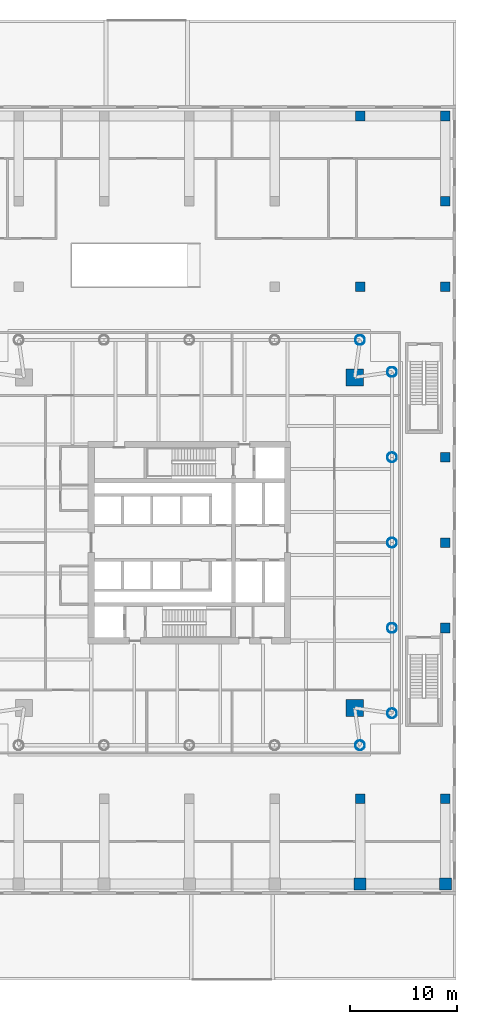
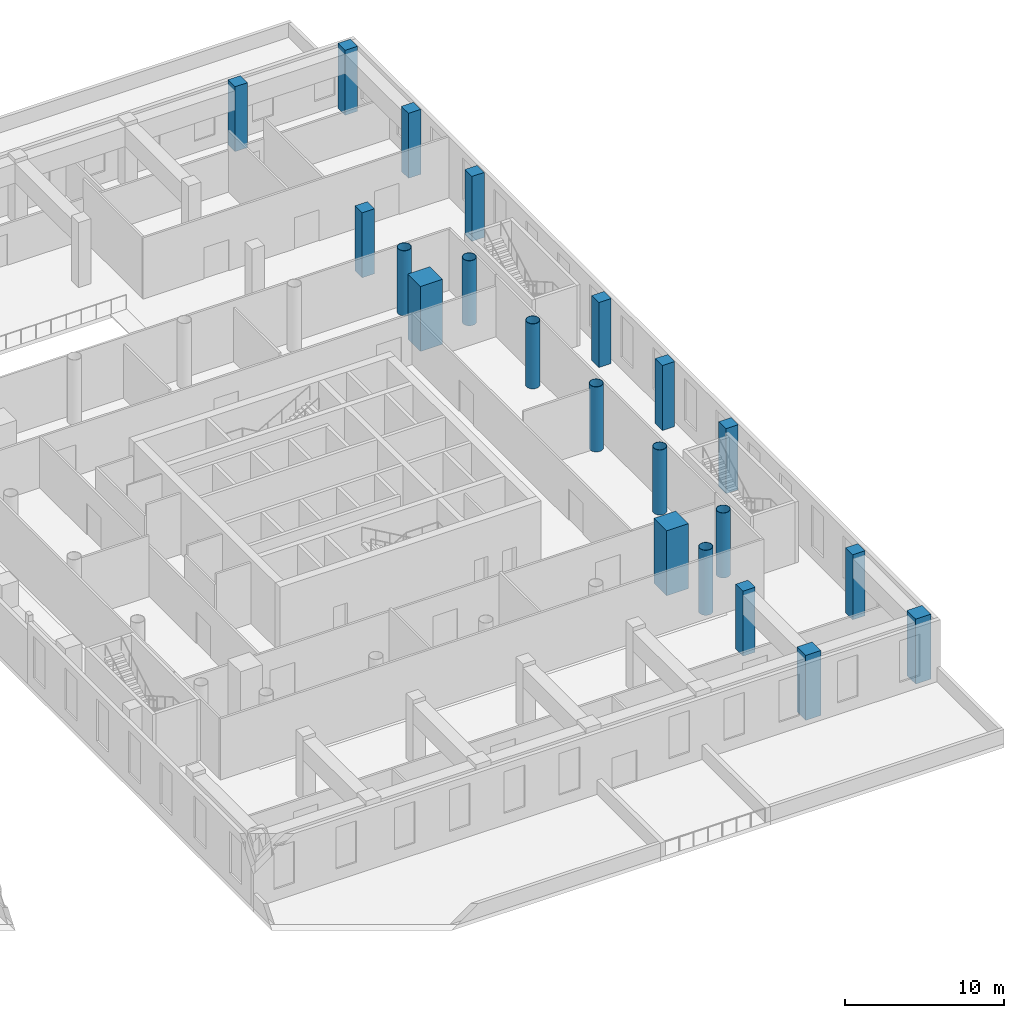
# One storey, part 4 of 26: 21 columns.
"""IFC4 building model written with IfcOpenShell, lengths in metres."""

from ifc_helpers import new_model, si_unit, direction, frame, origin, origin_2d, place, context, subcontext, project, spatial, rectangle, hollow_circle, extrude, material, material_profile, profile_set, type_object, element, save


model = new_model("IFC4")

# Units and contexts
model_context = context("Model", 3, precision=1e-05, world=origin(), true_north=direction((0.0, 1.0)))
body_context = subcontext(model_context, "Body", "Model", "MODEL_VIEW")
ifc_project = project(units=[si_unit("LENGTHUNIT", "METRE"), si_unit("AREAUNIT", "SQUARE_METRE"), si_unit("VOLUMEUNIT", "CUBIC_METRE"), si_unit("PLANEANGLEUNIT", "RADIAN"), si_unit("MASSUNIT", "GRAM", prefix="KILO")], contexts=[model_context])

# Site, building, storey
site_placement = place(None, origin())
site = spatial("IfcSite", under=ifc_project, at=site_placement, CompositionType="ELEMENT")
building_placement = place(site_placement, origin())
building = spatial("IfcBuilding", under=site, at=building_placement, Name="Ostroluk Exchange", CompositionType="ELEMENT")
storey_placement = place(building_placement, frame((0.0, 0.0, 6.0)))
storey = spatial("IfcBuildingStorey", under=building, at=storey_placement, Name="L01", CompositionType="ELEMENT", Elevation=6.0)

# Columns
ifc_material_1 = material(Name="Concrete C50/60", Category="concrete")
ifc_material_profile_1 = material_profile(ifc_material_1, rectangle(XDim=1.60009765625, YDim=1.60009765625, at=origin_2d()), Name="RC 1600x1600")
ifc_profile_set_1 = profile_set([ifc_material_profile_1], Name="Concrete C50/60")
column_type_1 = type_object("IfcColumnType", Name="Mega column RC 1600x1600", PredefinedType="COLUMN", material=ifc_profile_set_1)
for number, where, z_axis, x_axis, name in (
    (1, (132.5, 61.5, 0.0), (0.0, 0.0, 1.0), (1.0, 0.0, 0.0), "T2 mega column NE"),
    (2, (132.5, 30.5, 0.0), (0.0, 0.0, 1.0), (1.0, 0.0, 0.0), "T2 mega column SE"),
):
    element("IfcColumn", number, at=place(storey_placement, frame(where, z_axis=z_axis, x_axis=x_axis)), inside=storey, type_object=column_type_1, Name=name, PredefinedType="COLUMN", context=body_context, shape_type="SweptSolid", body=[
        extrude(rectangle(XDim=1.60009765625, YDim=1.60009765625, at=origin_2d()), origin(), (0.0, 0.0, 1.0), 5.0),
    ])
ifc_material_2 = material(Name="Steel S460", Category="steel")
ifc_material_profile_2 = material_profile(ifc_material_2, hollow_circle(Radius=0.45703125, WallThickness=0.030029296875, at=origin_2d()), Name="CHS 914x30")
ifc_profile_set_2 = profile_set([ifc_material_profile_2], Name="Steel S460")
column_type_2 = type_object("IfcColumnType", Name="Perimeter column CHS 914x30", PredefinedType="COLUMN", material=ifc_profile_set_2)
for number, where, z_axis, x_axis, name in (
    (3, (136.0, 30.0, 0.0), (0.0, 0.0, 1.0), (1.0, 0.0, 0.0), "T2 east face column E0"),
    (4, (136.0, 62.0, 0.0), (0.0, 0.0, 1.0), (1.0, 0.0, 0.0), "T2 east face column E1"),
    (5, (136.0, 38.0, 0.0), (0.0, 0.0, 1.0), (1.0, 0.0, 0.0), "T2 east face column I1"),
    (6, (136.0, 46.0, 0.0), (0.0, 0.0, 1.0), (1.0, 0.0, 0.0), "T2 east face column I2"),
    (7, (136.0, 54.0, 0.0), (0.0, 0.0, 1.0), (1.0, 0.0, 0.0), "T2 east face column I3"),
    (8, (133.0, 65.0, 0.0), (0.0, 0.0, 1.0), (1.0, 0.0, 0.0), "T2 north face column E0"),
    (9, (133.0, 27.0, 0.0), (0.0, 0.0, 1.0), (1.0, 0.0, 0.0), "T2 south face column E1"),
):
    element("IfcColumn", number, at=place(storey_placement, frame(where, z_axis=z_axis, x_axis=x_axis)), inside=storey, type_object=column_type_2, Name=name, PredefinedType="COLUMN", context=body_context, shape_type="SweptSolid", body=[
        extrude(hollow_circle(Radius=0.45703125, WallThickness=0.030029296875, at=origin_2d()), origin(), (0.0, 0.0, 1.0), 5.0),
    ])
ifc_material_3 = material(Name="Concrete C50/60", Category="concrete")
ifc_material_profile_3 = material_profile(ifc_material_3, rectangle(XDim=1.10009765625, YDim=1.10009765625, at=origin_2d()), Name="RC 1100x1100")
ifc_profile_set_3 = profile_set([ifc_material_profile_3], Name="Concrete C50/60")
column_type_3 = type_object("IfcColumnType", Name="Podium column RC 1100x1100", PredefinedType="COLUMN", material=ifc_profile_set_3)
for number, where, z_axis, x_axis, name in (
    (10, (133.0, 14.0, 0.0), (0.0, 0.0, 1.0), (1.0, 0.0, 0.0), "Podium column 133/14"),
    (11, (141.0, 14.0, 0.0), (0.0, 0.0, 1.0), (1.0, 0.0, 0.0), "Podium column 141/14"),
):
    element("IfcColumn", number, at=place(storey_placement, frame(where, z_axis=z_axis, x_axis=x_axis)), inside=storey, type_object=column_type_3, Name=name, PredefinedType="COLUMN", context=body_context, shape_type="SweptSolid", body=[
        extrude(rectangle(XDim=1.10009765625, YDim=1.10009765625, at=origin_2d()), origin(), (0.0, 0.0, 1.0), 5.0),
    ])
ifc_material_4 = material(Name="Concrete C50/60", Category="concrete")
ifc_material_profile_4 = material_profile(ifc_material_4, rectangle(XDim=0.89990234375, YDim=0.89990234375, at=origin_2d()), Name="RC 900x900")
ifc_profile_set_4 = profile_set([ifc_material_profile_4], Name="Concrete C50/60")
column_type_4 = type_object("IfcColumnType", Name="Podium column RC 900x900", PredefinedType="COLUMN", material=ifc_profile_set_4)
for number, where, z_axis, x_axis, name in (
    (12, (133.0, 22.0, 0.0), (0.0, 0.0, 1.0), (1.0, 0.0, 0.0), "Podium column 133/22"),
    (13, (133.0, 70.0, 0.0), (0.0, 0.0, 1.0), (1.0, 0.0, 0.0), "Podium column 133/70"),
    (14, (133.0, 86.0, 0.0), (0.0, 0.0, 1.0), (1.0, 0.0, 0.0), "Podium column 133/86"),
    (15, (141.0, 22.0, 0.0), (0.0, 0.0, 1.0), (1.0, 0.0, 0.0), "Podium column 141/22"),
    (16, (141.0, 38.0, 0.0), (0.0, 0.0, 1.0), (1.0, 0.0, 0.0), "Podium column 141/38"),
    (17, (141.0, 46.0, 0.0), (0.0, 0.0, 1.0), (1.0, 0.0, 0.0), "Podium column 141/46"),
    (18, (141.0, 54.0, 0.0), (0.0, 0.0, 1.0), (1.0, 0.0, 0.0), "Podium column 141/54"),
    (19, (141.0, 70.0, 0.0), (0.0, 0.0, 1.0), (1.0, 0.0, 0.0), "Podium column 141/70"),
    (20, (141.0, 78.0, 0.0), (0.0, 0.0, 1.0), (1.0, 0.0, 0.0), "Podium column 141/78"),
    (21, (141.0, 86.0, 0.0), (0.0, 0.0, 1.0), (1.0, 0.0, 0.0), "Podium column 141/86"),
):
    element("IfcColumn", number, at=place(storey_placement, frame(where, z_axis=z_axis, x_axis=x_axis)), inside=storey, type_object=column_type_4, Name=name, PredefinedType="COLUMN", context=body_context, shape_type="SweptSolid", body=[
        extrude(rectangle(XDim=0.89990234375, YDim=0.89990234375, at=origin_2d()), origin(), (0.0, 0.0, 1.0), 5.0),
    ])

save(model, "model.ifc")
